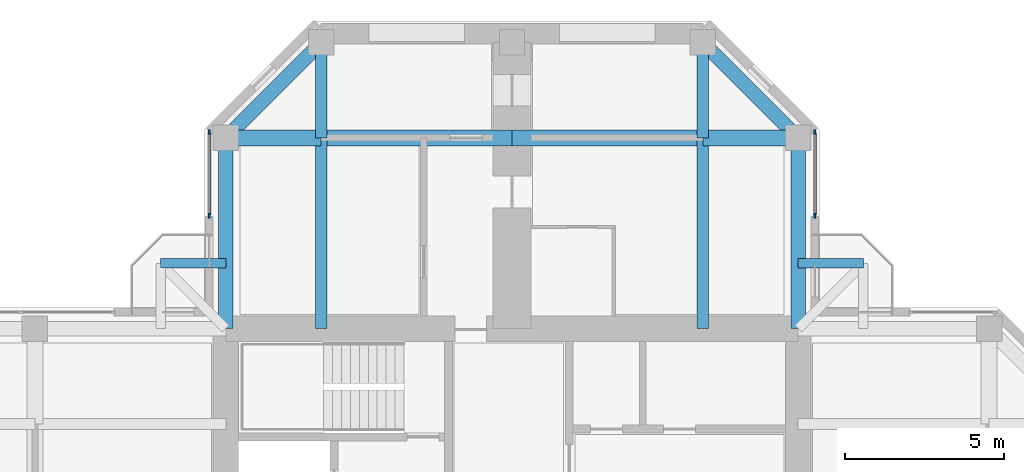
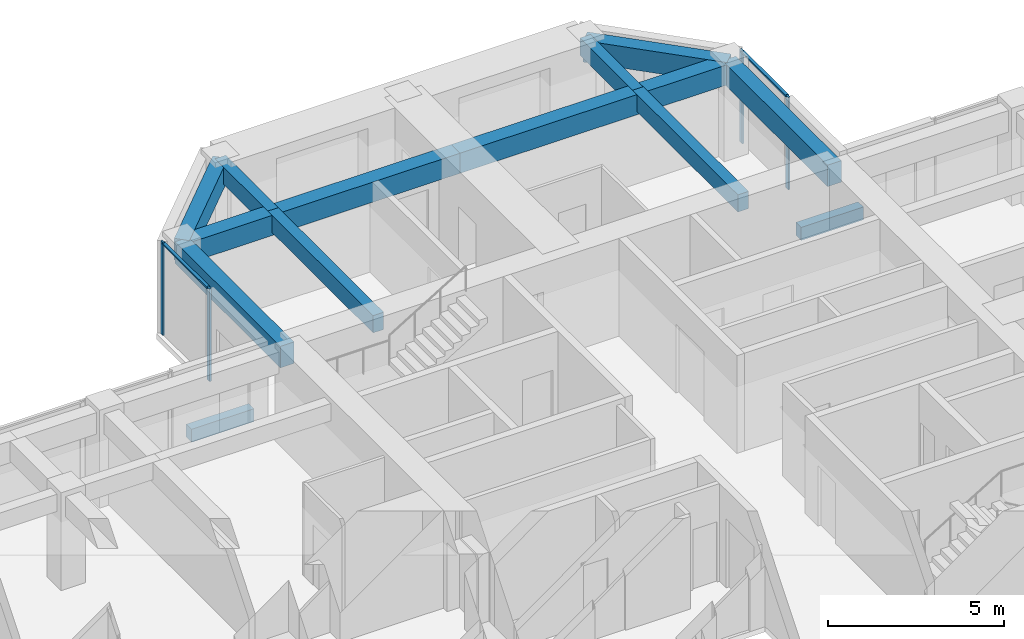
# One storey, part 6 of 14: 14 beams, 6 members, 2 elements without a shape of their own.
"""IFC4 building model written with IfcOpenShell, lengths in metres."""

from ifc_helpers import new_model, si_unit, direction, frame, origin, origin_2d, place, context, subcontext, project, spatial, rectangle, extrude, material, material_profile, profile_set, type_object, element, aggregate, save


model = new_model("IFC4")

# Units and contexts
model_context = context("Model", 3, precision=1e-05, world=origin(), true_north=direction((0.0, 1.0)))
body_context = subcontext(model_context, "Body", "Model", "MODEL_VIEW")
ifc_project = project(units=[si_unit("LENGTHUNIT", "METRE"), si_unit("AREAUNIT", "SQUARE_METRE"), si_unit("VOLUMEUNIT", "CUBIC_METRE"), si_unit("PLANEANGLEUNIT", "RADIAN"), si_unit("MASSUNIT", "GRAM", prefix="KILO")], contexts=[model_context])

# Site, building, storey
site_placement = place(None, origin())
site = spatial("IfcSite", under=ifc_project, at=site_placement, CompositionType="ELEMENT")
building_placement = place(site_placement, origin())
building = spatial("IfcBuilding", under=site, at=building_placement, Name="Torre Cruceta", CompositionType="ELEMENT")
storey_placement = place(building_placement, frame((0.0, 0.0, 222.10009765625)))
storey = spatial("IfcBuildingStorey", under=building, at=storey_placement, Name="L56", CompositionType="ELEMENT", Elevation=222.10009765625)

# Beams
ifc_material_1 = material(Name="Concrete G60 (fck 60 MPa)", Category="concrete")
ifc_material_profile_1 = material_profile(ifc_material_1, rectangle(XDim=0.300048828125, YDim=0.449951171875, at=origin_2d()), Name="RC 300X450")
ifc_profile_set_1 = profile_set([ifc_material_profile_1], Name="Concrete G60 (fck 60 MPa)")
beam_type_1 = type_object("IfcBeamType", Name="BALCONY CANTILEVER BEAM RC 300X450", PredefinedType="BEAM", material=ifc_profile_set_1)
for number, where, z_axis, x_axis, name in (
    (1, (-9.0, 11.050537109375, -0.405029296875), (-1.0, 0.0, 0.0), (0.0, -1.0, 0.0), "BB1 balcony edge beam L56 N-Y"),
    (2, (9.0, 11.050537109375, -0.405029296875), (1.0, 0.0, 0.0), (0.0, 1.0, 0.0), "BB1 balcony edge beam L56 E-Y"),
):
    element("IfcBeam", number, at=place(storey_placement, frame(where, z_axis=z_axis, x_axis=x_axis)), inside=storey, type_object=beam_type_1, Name=name, PredefinedType="BEAM", context=body_context, shape_type="SweptSolid", body=[
        extrude(rectangle(XDim=0.300048828125, YDim=0.449951171875, at=origin_2d()), origin(), (0.0, 0.0, 1.0), 2.050537109375),
    ])
ifc_material_2 = material(Name="Concrete G60 (fck 60 MPa)", Category="concrete")
ifc_material_profile_2 = material_profile(ifc_material_2, rectangle(XDim=0.35009765625, YDim=0.60009765625, at=origin_2d()), Name="RC 350X600")
ifc_profile_set_2 = profile_set([ifc_material_profile_2], Name="Concrete G60 (fck 60 MPa)")
beam_type_2 = type_object("IfcBeamType", Name="COLUMN LINE BEAM RC 350X600", PredefinedType="BEAM", material=ifc_profile_set_2)
beam_1_placement = place(storey_placement, frame((6.0, 9.0, 2.919921875), z_axis=(0.0, 1.0, 0.0), x_axis=(-1.0, 0.0, 0.0)))
element("IfcBeam", 3, at=beam_1_placement, inside=storey, type_object=beam_type_2, Name="LB9 L56 N col- 1", PredefinedType="BEAM", context=body_context, shape_type="SweptSolid", body=[
    extrude(rectangle(XDim=0.35009765625, YDim=0.60009765625, at=origin_2d()), origin(), (0.0, 0.0, 1.0), 6.0),
])
beam_2_placement = place(storey_placement, frame((6.0, 15.0, 2.919921875), z_axis=(0.0, 1.0, 0.0), x_axis=(-1.0, 0.0, 0.0)))
element("IfcBeam", 4, at=beam_2_placement, inside=storey, type_object=beam_type_2, Name="LB9 L56 N col- 2", PredefinedType="BEAM", context=body_context, shape_type="SweptSolid", body=[
    extrude(rectangle(XDim=0.35009765625, YDim=0.60009765625, at=origin_2d()), origin(), (0.0, 0.0, 1.0), 3.0),
])
beam_3_placement = place(storey_placement, frame((-6.0, 9.0, 2.919921875), z_axis=(0.0, 1.0, 0.0), x_axis=(-1.0, 0.0, 0.0)))
element("IfcBeam", 5, at=beam_3_placement, inside=storey, type_object=beam_type_2, Name="LB9 L56 N col+ 1", PredefinedType="BEAM", context=body_context, shape_type="SweptSolid", body=[
    extrude(rectangle(XDim=0.35009765625, YDim=0.60009765625, at=origin_2d()), origin(), (0.0, 0.0, 1.0), 6.0),
])
beam_4_placement = place(storey_placement, frame((-6.0, 15.0, 2.919921875), z_axis=(0.0, 1.0, 0.0), x_axis=(-1.0, 0.0, 0.0)))
element("IfcBeam", 6, at=beam_4_placement, inside=storey, type_object=beam_type_2, Name="LB9 L56 N col+ 2", PredefinedType="BEAM", context=body_context, shape_type="SweptSolid", body=[
    extrude(rectangle(XDim=0.35009765625, YDim=0.60009765625, at=origin_2d()), origin(), (0.0, 0.0, 1.0), 3.0),
])
ifc_material_3 = material(Name="Concrete G60 (fck 60 MPa)", Category="concrete")
ifc_material_profile_3 = material_profile(ifc_material_3, rectangle(XDim=0.5, YDim=0.699951171875, at=origin_2d()), Name="RC 500X700")
ifc_profile_set_3 = profile_set([ifc_material_profile_3], Name="Concrete G60 (fck 60 MPa)")
beam_type_3 = type_object("IfcBeamType", Name="CROSS BEAM RC 500X700", PredefinedType="BEAM", material=ifc_profile_set_3)
beam_5_placement = place(storey_placement, frame((9.0, 15.0, 2.869873046875), z_axis=(-1.0, 0.0, 0.0), x_axis=(0.0, -1.0, 0.0)))
element("IfcBeam", 7, at=beam_5_placement, inside=storey, type_object=beam_type_3, Name="GB7 L56 N cross15 1", PredefinedType="BEAM", context=body_context, shape_type="SweptSolid", body=[
    extrude(rectangle(XDim=0.5, YDim=0.699951171875, at=origin_2d()), origin(), (0.0, 0.0, 1.0), 3.0),
])
for number, where, z_axis, x_axis, name in (
    (8, (6.0, 15.0, 2.869873046875), (-1.0, 0.0, 0.0), (0.0, -1.0, 0.0), "GB7 L56 N cross15 2"),
    (9, (0.0, 15.0, 2.869873046875), (-1.0, 0.0, 0.0), (0.0, -1.0, 0.0), "GB7 L56 N cross15 3"),
):
    element("IfcBeam", number, at=place(storey_placement, frame(where, z_axis=z_axis, x_axis=x_axis)), inside=storey, type_object=beam_type_3, Name=name, PredefinedType="BEAM", context=body_context, shape_type="SweptSolid", body=[
        extrude(rectangle(XDim=0.5, YDim=0.699951171875, at=origin_2d()), origin(), (0.0, 0.0, 1.0), 6.0),
    ])
beam_6_placement = place(storey_placement, frame((-6.0, 15.0, 2.869873046875), z_axis=(-1.0, 0.0, 0.0), x_axis=(0.0, -1.0, 0.0)))
element("IfcBeam", 10, at=beam_6_placement, inside=storey, type_object=beam_type_3, Name="GB7 L56 N cross15 4", PredefinedType="BEAM", context=body_context, shape_type="SweptSolid", body=[
    extrude(rectangle(XDim=0.5, YDim=0.699951171875, at=origin_2d()), origin(), (0.0, 0.0, 1.0), 3.0),
])

# Curtain wall, members
ifc_material_4 = material(Name="Aluminium unitised curtain wall", Category="aluminium")
curtain_wall_type = type_object("IfcCurtainWallType", Name="CURTAIN WALL CW-D CO-LIVING UPPER", PredefinedType="USERDEFINED", material=ifc_material_4)
curtain_wall_1_placement = place(storey_placement, origin())
curtain_wall_1 = element("IfcCurtainWall", 11, at=curtain_wall_1_placement, inside=storey, type_object=curtain_wall_type, Name="CW-D L56 N side 05", ObjectType="UNITISED", PredefinedType="USERDEFINED")
ifc_material_5 = material(Name="Aluminium mullion", Category="aluminium")
ifc_material_profile_4 = material_profile(ifc_material_5, rectangle(XDim=0.06005859375, YDim=0.14990234375, at=origin_2d()), Name="AL 60X150")
ifc_profile_set_4 = profile_set([ifc_material_profile_4], Name="Aluminium mullion")
member_type_1 = type_object("IfcMemberType", Name="CW-D MULLION 60X150", PredefinedType="MULLION", material=ifc_profile_set_4)
member_1_placement = place(storey_placement, frame((9.52001953125, 12.550048828125, 0.0), z_axis=(0.0, 0.0, 1.0), x_axis=(-1.0, 0.0, 0.0)))
member_1 = element("IfcMember", 12, at=member_1_placement, type_object=member_type_1, Name="CW-D mullion 1", PredefinedType="MULLION", context=body_context, shape_type="SweptSolid", body=[
    extrude(rectangle(XDim=0.06005859375, YDim=0.14990234375, at=origin_2d()), origin(), (0.0, 0.0, 1.0), 3.219970703125),
])
member_2_placement = place(storey_placement, frame((9.52001953125, 15.185302734375, 0.0), z_axis=(0.0, 0.0, 1.0), x_axis=(-1.0, 0.0, 0.0)))
member_2 = element("IfcMember", 13, at=member_2_placement, type_object=member_type_1, Name="CW-D mullion 2", PredefinedType="MULLION", context=body_context, shape_type="SweptSolid", body=[
    extrude(rectangle(XDim=0.06005859375, YDim=0.14990234375, at=origin_2d()), origin(), (0.0, 0.0, 1.0), 3.219970703125),
])

curtain_wall_2_placement = place(storey_placement, origin())
curtain_wall_2 = element("IfcCurtainWall", 14, at=curtain_wall_2_placement, inside=storey, type_object=curtain_wall_type, Name="CW-D L56 N side 09", ObjectType="UNITISED", PredefinedType="USERDEFINED")
member_3_placement = place(storey_placement, frame((-9.52001953125, 15.185302734375, 0.0), z_axis=(0.0, 0.0, 1.0), x_axis=(1.0, 0.0, 0.0)))
member_3 = element("IfcMember", 15, at=member_3_placement, type_object=member_type_1, Name="CW-D mullion 1", PredefinedType="MULLION", context=body_context, shape_type="SweptSolid", body=[
    extrude(rectangle(XDim=0.06005859375, YDim=0.14990234375, at=origin_2d()), origin(), (0.0, 0.0, 1.0), 3.219970703125),
])
member_4_placement = place(storey_placement, frame((-9.52001953125, 12.550048828125, 0.0), z_axis=(0.0, 0.0, 1.0), x_axis=(1.0, 0.0, 0.0)))
member_4 = element("IfcMember", 16, at=member_4_placement, type_object=member_type_1, Name="CW-D mullion 2", PredefinedType="MULLION", context=body_context, shape_type="SweptSolid", body=[
    extrude(rectangle(XDim=0.06005859375, YDim=0.14990234375, at=origin_2d()), origin(), (0.0, 0.0, 1.0), 3.219970703125),
])

# Member
ifc_material_6 = material(Name="Aluminium transom", Category="aluminium")
ifc_material_profile_5 = material_profile(ifc_material_6, rectangle(XDim=0.10009765625, YDim=0.06005859375, at=origin_2d()), Name="AL 100X60")
ifc_profile_set_5 = profile_set([ifc_material_profile_5], Name="Aluminium transom")
member_type_2 = type_object("IfcMemberType", Name="CW-D TRANSOM 60X100", PredefinedType="USERDEFINED", material=ifc_profile_set_5)
member_5_placement = place(storey_placement, frame((9.52001953125, 12.580078125, 3.18994140625), z_axis=(0.0, 1.0, 0.0), x_axis=(-1.0, 0.0, 0.0)))
member_5 = element("IfcMember", 17, at=member_5_placement, type_object=member_type_2, Name="CW-D transom 1", ObjectType="TRANSOM", PredefinedType="USERDEFINED", context=body_context, shape_type="SweptSolid", body=[
    extrude(rectangle(XDim=0.10009765625, YDim=0.06005859375, at=origin_2d()), origin(), (0.0, 0.0, 1.0), 2.5751953125),
])

aggregate(curtain_wall_1, [member_1, member_2, member_5])

member_6_placement = place(storey_placement, frame((-9.52001953125, 15.1552734375, 3.18994140625), z_axis=(0.0, -1.0, 0.0), x_axis=(1.0, 0.0, 0.0)))
member_6 = element("IfcMember", 18, at=member_6_placement, type_object=member_type_2, Name="CW-D transom 1", ObjectType="TRANSOM", PredefinedType="USERDEFINED", context=body_context, shape_type="SweptSolid", body=[
    extrude(rectangle(XDim=0.10009765625, YDim=0.06005859375, at=origin_2d()), origin(), (0.0, 0.0, 1.0), 2.5751953125),
])

aggregate(curtain_wall_2, [member_3, member_4, member_6])

# Beams
ifc_material_7 = material(Name="Concrete G60 (fck 60 MPa)", Category="concrete")
ifc_material_profile_6 = material_profile(ifc_material_7, rectangle(XDim=0.449951171875, YDim=0.75, at=origin_2d()), Name="RC 450X750")
ifc_profile_set_6 = profile_set([ifc_material_profile_6], Name="Concrete G60 (fck 60 MPa)")
beam_type_4 = type_object("IfcBeamType", Name="SPANDREL BEAM RC 450X750", PredefinedType="SPANDREL", material=ifc_profile_set_6)
beam_7_placement = place(storey_placement, frame((9.0, 9.0, 2.844970703125), z_axis=(0.0, 1.0, 0.0), x_axis=(-1.0, 0.0, 0.0)))
element("IfcBeam", 19, at=beam_7_placement, inside=storey, type_object=beam_type_4, Name="SB7 L56 N side- 1", PredefinedType="SPANDREL", context=body_context, shape_type="SweptSolid", body=[
    extrude(rectangle(XDim=0.449951171875, YDim=0.75, at=origin_2d()), origin(), (0.0, 0.0, 1.0), 6.0),
])
beam_8_placement = place(storey_placement, frame((9.0, 15.0, 2.844970703125), z_axis=(-0.707106781187, 0.707106781187, 0.0), x_axis=(-0.707106781187, -0.707106781187, 0.0)))
element("IfcBeam", 20, at=beam_8_placement, inside=storey, type_object=beam_type_4, Name="SB7 L56 N side- 2", PredefinedType="SPANDREL", context=body_context, shape_type="SweptSolid", body=[
    extrude(rectangle(XDim=0.449951171875, YDim=0.75, at=origin_2d()), origin(), (0.0, 0.0, 1.0), 4.24267578125),
])
beam_9_placement = place(storey_placement, frame((-9.0, 9.0, 2.844970703125), z_axis=(0.0, 1.0, 0.0), x_axis=(-1.0, 0.0, 0.0)))
element("IfcBeam", 21, at=beam_9_placement, inside=storey, type_object=beam_type_4, Name="SB7 L56 N side+ 1", PredefinedType="SPANDREL", context=body_context, shape_type="SweptSolid", body=[
    extrude(rectangle(XDim=0.449951171875, YDim=0.75, at=origin_2d()), origin(), (0.0, 0.0, 1.0), 6.0),
])
beam_10_placement = place(storey_placement, frame((-9.0, 15.0, 2.844970703125), z_axis=(0.707106781187, 0.707106781187, 0.0), x_axis=(-0.707106781187, 0.707106781187, 0.0)))
element("IfcBeam", 22, at=beam_10_placement, inside=storey, type_object=beam_type_4, Name="SB7 L56 N side+ 2", PredefinedType="SPANDREL", context=body_context, shape_type="SweptSolid", body=[
    extrude(rectangle(XDim=0.449951171875, YDim=0.75, at=origin_2d()), origin(), (0.0, 0.0, 1.0), 4.24267578125),
])

save(model, "model.ifc")
